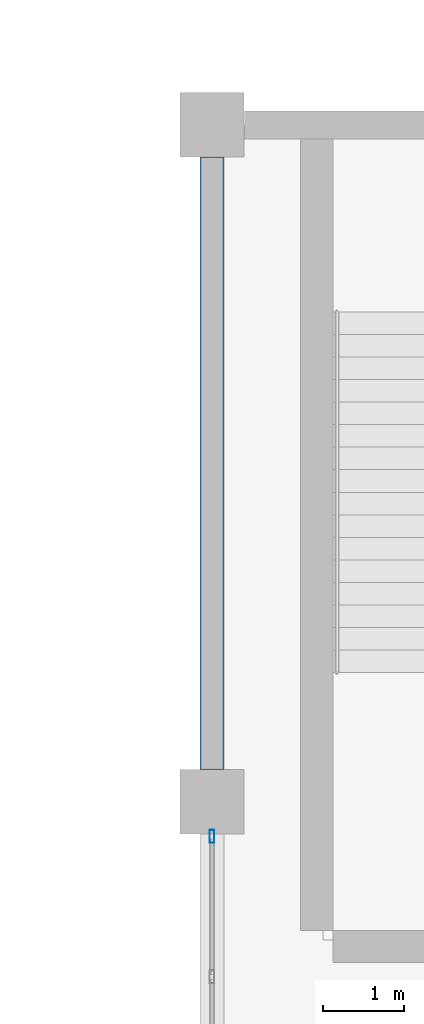
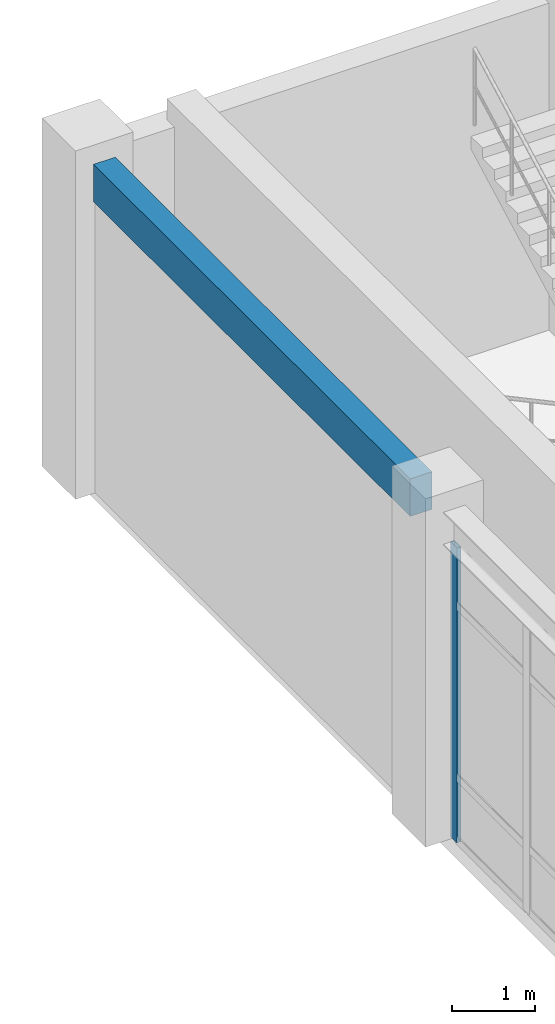
# One storey, part 46 of 124: 1 beam, 1 member, 1 element without a shape of its own.
"""IFC4 building model written with IfcOpenShell, lengths in metres."""

import ifcopenshell
import ifcopenshell.guid

model = None  # the IFC model being written
_history = None  # IfcOwnerHistory: only IFC2X3 demands one
_inside = {}  # id of a spatial element -> (the spatial element, [elements in it])
_under = {}  # id of a project, library or spatial element -> (it, [spatial elements below it])
_declared = {}  # id of a project -> (the project, [libraries it declares])
_typed = {}  # id of a type object -> (the type object, [elements of that type])
_made_of = {}  # id of a material, layer set ... -> (it, [elements and type objects made of it])


def new_model(schema):
    """Start an empty IFC model of exactly this schema.

    Asked for "IFC4X3", IfcOpenShell would pick the latest addendum, in which some entities
    have other attributes; the version numbers below select the first issue.
    IFC2X3 requires an IfcOwnerHistory on every rooted entity: one is made here for all.
    """
    global model, _history
    if schema == "IFC4X3":
        model = ifcopenshell.file(schema_version=(4, 3, 0, 0))
    else:
        model = ifcopenshell.file(schema=schema)
    _inside.clear()
    _under.clear()
    _declared.clear()
    _typed.clear()
    _made_of.clear()
    _history = None
    if model.schema == "IFC2X3":
        org = make("IfcOrganization", Name="unknown")
        user = make(
            "IfcPersonAndOrganization",
            ThePerson=make("IfcPerson", FamilyName="unknown"),
            TheOrganization=org,
        )
        app = make(
            "IfcApplication",
            ApplicationDeveloper=org,
            Version="unknown",
            ApplicationFullName="unknown",
            ApplicationIdentifier="unknown",
        )
        _history = make(
            "IfcOwnerHistory",
            OwningUser=user,
            OwningApplication=app,
            ChangeAction="ADDED",
            CreationDate=0,
        )
    return model


def make(cls, **values):
    """One entity of the class cls with the attributes given. An attribute that is None is left unset."""
    return model.create_entity(
        cls, **{name: value for name, value in values.items() if value is not None}
    )


def rooted(cls, **values):
    """An entity with a GlobalId (a new one), such as an element, a storey or a relation."""
    return make(cls, GlobalId=ifcopenshell.guid.new(), OwnerHistory=_history, **values)


def si_unit(unit_type, name, prefix=None):
    """IfcSIUnit, for example si_unit("LENGTHUNIT", "METRE", prefix="MILLI")."""
    return make("IfcSIUnit", UnitType=unit_type, Prefix=prefix, Name=name)


def derived_unit(unit_type, elements):
    """IfcDerivedUnit: a product of units, each with its exponent."""
    return make(
        "IfcDerivedUnit",
        Elements=[
            make("IfcDerivedUnitElement", Unit=unit, Exponent=power)
            for unit, power in elements
        ],
        UnitType=unit_type,
    )


def assignment(units):
    """IfcUnitAssignment: the units of a project."""
    return None if units is None else make("IfcUnitAssignment", Units=units)


def point(xyz):
    """IfcCartesianPoint."""
    return None if xyz is None else make("IfcCartesianPoint", Coordinates=xyz)


def direction(xyz):
    """IfcDirection."""
    return None if xyz is None else make("IfcDirection", DirectionRatios=xyz)


def frame(location, z_axis=None, x_axis=None):
    """IfcAxis2Placement3D, a coordinate frame: its origin and axes. An axis left out is left unset."""
    return make(
        "IfcAxis2Placement3D",
        Location=point(location),
        Axis=direction(z_axis),
        RefDirection=direction(x_axis),
    )


def frame_2d(location, x_axis=None):
    """IfcAxis2Placement2D, a coordinate frame in the plane: its origin and x axis."""
    return make(
        "IfcAxis2Placement2D", Location=point(location), RefDirection=direction(x_axis)
    )


def origin():
    """The frame at (0, 0, 0) with its axes left unset."""
    return frame((0.0, 0.0, 0.0))


def origin_2d():
    """The frame at (0, 0) in the plane with its x axis left unset."""
    return frame_2d((0.0, 0.0))


def place(relative_to, where):
    """IfcLocalPlacement: puts the frame where relative to a parent placement (None: the world)."""
    return make(
        "IfcLocalPlacement", PlacementRelTo=relative_to, RelativePlacement=where
    )


def context(
    kind, dimensions, precision=None, world=None, true_north=None, identifier=None
):
    """IfcGeometricRepresentationContext, for example the 3D "Model" context."""
    return make(
        "IfcGeometricRepresentationContext",
        ContextIdentifier=identifier,
        ContextType=kind,
        CoordinateSpaceDimension=dimensions,
        Precision=precision,
        WorldCoordinateSystem=world,
        TrueNorth=true_north,
    )


def subcontext(parent, identifier, kind, view, scale=None):
    """IfcGeometricRepresentationSubContext, for example "Body" below "Model"."""
    return make(
        "IfcGeometricRepresentationSubContext",
        ContextIdentifier=identifier,
        ContextType=kind,
        ParentContext=parent,
        TargetScale=scale,
        TargetView=view,
    )


def project(units=None, contexts=None):
    """IfcProject with its units and contexts."""
    return rooted(
        "IfcProject",
        Name="project",
        RepresentationContexts=contexts,
        UnitsInContext=assignment(units),
    )


def spatial(cls, under=None, at=None, **own):
    """A site, building, storey or space (cls), placed at a placement, below another one or the project."""
    s = rooted(cls, ObjectPlacement=at, **own)
    if under is not None:
        _under.setdefault(under.id(), (under, []))[1].append(s)
    return s


def profile(cls, at=None, kind="AREA", **sizes):
    """A parametric profile (cls). Its sizes go by their IFC names, for example OverallWidth=200.0."""
    return make(cls, ProfileType=kind, Position=at, **sizes)


def rectangle(**sizes):
    """IfcRectangleProfileDef."""
    return profile("IfcRectangleProfileDef", **sizes)


def hollow_rectangle(**sizes):
    """IfcRectangleHollowProfileDef."""
    return profile("IfcRectangleHollowProfileDef", **sizes)


def extrude(swept, where, along, depth):
    """IfcExtrudedAreaSolid: the profile swept, set in the frame where, extruded along a direction by depth."""
    return make(
        "IfcExtrudedAreaSolid",
        SweptArea=swept,
        Position=where,
        ExtrudedDirection=direction(along),
        Depth=depth,
    )


def shape(context_of_items, identifier, shape_type, items):
    """IfcShapeRepresentation: the items that make up one representation, for example the "Body"."""
    return make(
        "IfcShapeRepresentation",
        ContextOfItems=context_of_items,
        RepresentationIdentifier=identifier,
        RepresentationType=shape_type,
        Items=items,
    )


def material(Name=None, Category=None):
    """IfcMaterial."""
    return make("IfcMaterial", Name=Name, Category=Category)


def layer(
    of_material, thickness, ventilated=None, Name=None, Category=None, Priority=None
):
    """IfcMaterialLayer: one layer of a wall or slab, of a material (None: an air gap)."""
    return make(
        "IfcMaterialLayer",
        Material=of_material,
        LayerThickness=thickness,
        IsVentilated=ventilated,
        Name=Name,
        Category=Category,
        Priority=Priority,
    )


def layer_set(layers, Name=None):
    """IfcMaterialLayerSet."""
    return make("IfcMaterialLayerSet", MaterialLayers=layers, LayerSetName=Name)


def material_profile(
    of_material, cross_section, Name=None, Category=None, Priority=None
):
    """IfcMaterialProfile: a cross section and its material."""
    return make(
        "IfcMaterialProfile",
        Name=Name,
        Material=of_material,
        Profile=cross_section,
        Priority=Priority,
        Category=Category,
    )


def profile_set(profiles, Name=None, composite=None):
    """IfcMaterialProfileSet."""
    return make(
        "IfcMaterialProfileSet",
        Name=Name,
        MaterialProfiles=profiles,
        CompositeProfile=composite,
    )


def made_of(thing, what):
    """Note that an element or type object is made of a material, layer set ...; save() writes the relation."""
    if what is not None:
        _made_of.setdefault(what.id(), (what, []))[1].append(thing)
    return thing


def type_object(cls, material=None, **own):
    """A type object (cls), such as IfcWallType, which elements share."""
    return made_of(rooted(cls, **own), material)


def element(
    cls,
    number,
    at=None,
    inside=None,
    cuts=None,
    type_object=None,
    material=None,
    context=None,
    identifier="Body",
    shape_type=None,
    held_by="IfcProductDefinitionShape",
    body=None,
    shapes=None,
    **own,
):
    """One element of the class cls, such as IfcWall. Its Tag is "e" and its number.

    at: its placement. inside: the storey or other place that contains it. cuts: it is an
    opening in that element (IfcRelVoidsElement). A single representation is given by context,
    identifier, shape_type and body (its items); several are given by shapes. held_by: the class
    of the entity that holds the representations. save() writes the other relations.
    """
    e = rooted(cls, Tag="e%d" % number, ObjectPlacement=at, **own)
    if body is not None:
        shapes = [shape(context, identifier, shape_type, body)]
    if shapes is not None:
        e.Representation = make(held_by, Representations=shapes)
    if inside is not None:
        _inside.setdefault(inside.id(), (inside, []))[1].append(e)
    if cuts is not None:
        rooted(
            "IfcRelVoidsElement", RelatingBuildingElement=cuts, RelatedOpeningElement=e
        )
    if type_object is not None:
        _typed.setdefault(type_object.id(), (type_object, []))[1].append(e)
    return made_of(e, material)


def aggregate(whole, parts):
    """IfcRelAggregates: a whole, such as a stair, and the parts it consists of."""
    return rooted("IfcRelAggregates", RelatingObject=whole, RelatedObjects=parts)


def save(model, path):
    """Write the relations noted so far, then the file.

    IfcRelAggregates (storeys below a building ...), IfcRelContainedInSpatialStructure (elements
    in a storey), IfcRelDefinesByType, IfcRelAssociatesMaterial and IfcRelDeclares: one each for
    every whole, place, type object, material and project.
    """
    for whole, parts in _under.values():
        aggregate(whole, parts)
    for where, things in _inside.values():
        rooted(
            "IfcRelContainedInSpatialStructure",
            RelatedElements=things,
            RelatingStructure=where,
        )
    for kind, things in _typed.values():
        rooted("IfcRelDefinesByType", RelatedObjects=things, RelatingType=kind)
    for what, things in _made_of.values():
        rooted("IfcRelAssociatesMaterial", RelatedObjects=things, RelatingMaterial=what)
    for by, libraries in _declared.values():
        rooted("IfcRelDeclares", RelatingContext=by, RelatedDefinitions=libraries)
    model.write(path)


model = new_model("IFC4")

# Units and contexts
model_context = context("Model", 3, precision=1e-05, world=origin(), true_north=direction((0.0, 1.0)))
body_context = subcontext(model_context, "Body", "Model", "MODEL_VIEW")
ifc_project = project(units=[si_unit("LENGTHUNIT", "METRE"), si_unit("AREAUNIT", "SQUARE_METRE"), si_unit("VOLUMEUNIT", "CUBIC_METRE"), si_unit("PLANEANGLEUNIT", "RADIAN"), si_unit("MASSUNIT", "GRAM", prefix="KILO"), derived_unit("THERMALTRANSMITTANCEUNIT", [(si_unit("MASSUNIT", "GRAM", prefix="KILO"), 1), (si_unit("TIMEUNIT", "SECOND"), -3), (si_unit("THERMODYNAMICTEMPERATUREUNIT", "KELVIN"), -1)])], contexts=[model_context])

# Site, building, storey
site_placement = place(None, origin())
site = spatial("IfcSite", under=ifc_project, at=site_placement, CompositionType="ELEMENT")
building_placement = place(site_placement, origin())
building = spatial("IfcBuilding", under=site, at=building_placement, Name="Qinzheling Arcade Emporium", CompositionType="ELEMENT")
storey_placement = place(building_placement, frame((0.0, 0.0, 16.5)))
storey = spatial("IfcBuildingStorey", under=building, at=storey_placement, Name="L04", CompositionType="ELEMENT", Elevation=16.5)

# Curtain wall, member
ifc_material_1 = material(Name="Anodised aluminium and solar-control double glazing", Category="aluminium")
ifc_layer = layer(ifc_material_1, 0.159912109375, Name="Anodised aluminium and solar-control double glazing", Category="aluminium")
ifc_layer_set = layer_set([ifc_layer], Name="Anodised aluminium and solar-control double glazing")
curtain_wall_type = type_object("IfcCurtainWallType", Name="Atrium Clerestory Curtain Wall", PredefinedType="NOTDEFINED", material=ifc_layer_set)
curtain_wall_placement = place(storey_placement, origin())
curtain_wall = element("IfcCurtainWall", 1, at=curtain_wall_placement, inside=storey, type_object=curtain_wall_type, Name="Curtain Wall CW-L04-242", PredefinedType="NOTDEFINED")
ifc_material_2 = material(Name="Anodised aluminium 6063-T6", Category="aluminium")
ifc_material_profile_1 = material_profile(ifc_material_2, hollow_rectangle(XDim=0.06005859375, YDim=0.159912109375, WallThickness=0.00390625, InnerFilletRadius=0.00390625, OuterFilletRadius=0.008056640625, at=origin_2d()), Name="RHS 160x60x4", Category="aluminium")
ifc_profile_set_1 = profile_set([ifc_material_profile_1], Name="Anodised aluminium 6063-T6")
member_type = type_object("IfcMemberType", Name="Curtain Wall Mullion RHS160x60", PredefinedType="MULLION", material=ifc_profile_set_1)
member_placement = place(storey_placement, frame((34.800048828125, 64.968017578125, 0.0), z_axis=(0.0, 0.0, 1.0), x_axis=(-1.0, 0.0, 0.0)))
member = element("IfcMember", 2, at=member_placement, type_object=member_type, Name="CW03 mullion 5", PredefinedType="MULLION", context=body_context, shape_type="SweptSolid", body=[
    extrude(hollow_rectangle(XDim=0.06005859375, YDim=0.159912109375, WallThickness=0.00390625, InnerFilletRadius=0.00390625, OuterFilletRadius=0.008056640625, at=origin_2d()), origin(), (0.0, 0.0, 1.0), 4.31689453125),
])
aggregate(curtain_wall, [member])

# Beam
ifc_material_3 = material(Name="Concrete C40", Category="concrete")
ifc_material_profile_2 = material_profile(ifc_material_3, rectangle(XDim=0.300048828125, YDim=0.550048828125, at=origin_2d()), Name="RC 300x550", Category="concrete")
ifc_profile_set_2 = profile_set([ifc_material_profile_2], Name="Concrete C40")
beam_type = type_object("IfcBeamType", Name="RC Terrace Spandrel Beam 300x550 C40", PredefinedType="SPANDREL", material=ifc_profile_set_2)
beam_placement = place(storey_placement, frame((34.800048828125, 65.800048828125, 4.544921875), z_axis=(0.0, 1.0, 0.0), x_axis=(-1.0, 0.0, 0.0)))
element("IfcBeam", 3, at=beam_placement, inside=storey, type_object=beam_type, Name="Beam BM-L04-Y-5-H", PredefinedType="SPANDREL", context=body_context, shape_type="SweptSolid", body=[
    extrude(rectangle(XDim=0.300048828125, YDim=0.550048828125, at=origin_2d()), origin(), (0.0, 0.0, 1.0), 7.599853515625),
])

save(model, "model.ifc")
